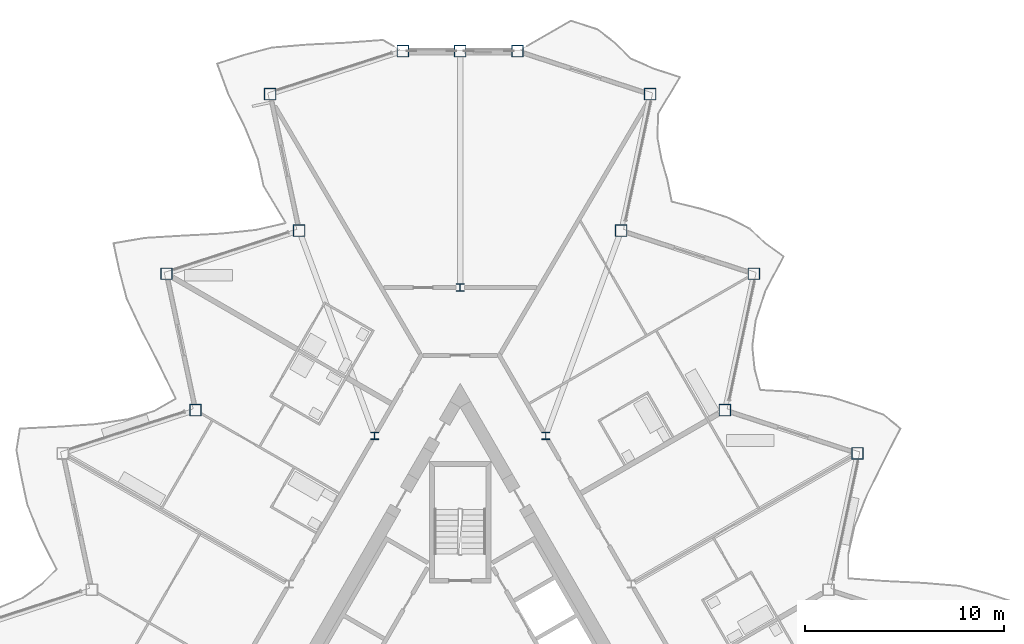
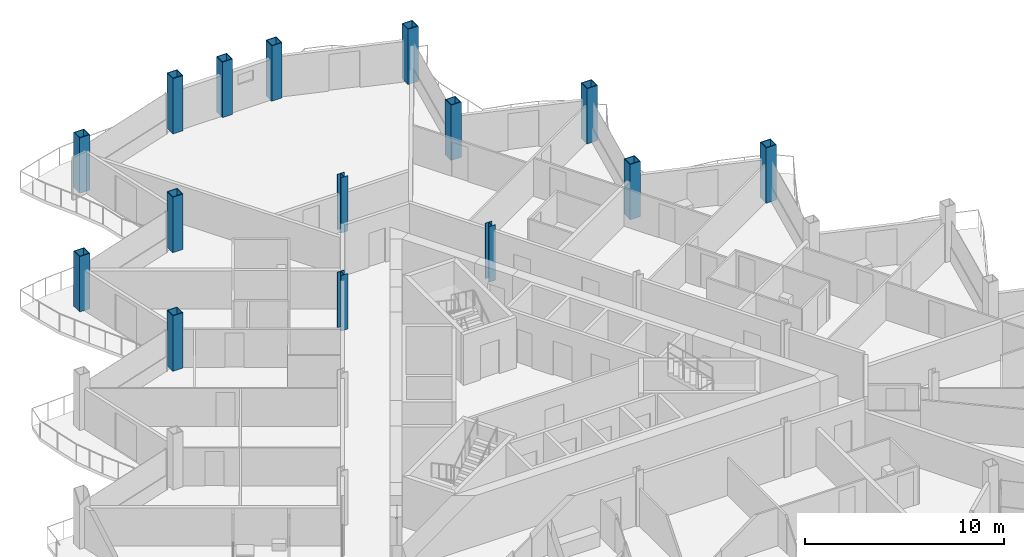
# One storey, part 3 of 26: 15 columns.
"""IFC4 building model written with IfcOpenShell, lengths in metres."""

import ifcopenshell
import ifcopenshell.guid

model = None  # the IFC model being written
_history = None  # IfcOwnerHistory: only IFC2X3 demands one
_inside = {}  # id of a spatial element -> (the spatial element, [elements in it])
_under = {}  # id of a project, library or spatial element -> (it, [spatial elements below it])
_declared = {}  # id of a project -> (the project, [libraries it declares])
_typed = {}  # id of a type object -> (the type object, [elements of that type])
_made_of = {}  # id of a material, layer set ... -> (it, [elements and type objects made of it])


def new_model(schema):
    """Start an empty IFC model of exactly this schema.

    Asked for "IFC4X3", IfcOpenShell would pick the latest addendum, in which some entities
    have other attributes; the version numbers below select the first issue.
    IFC2X3 requires an IfcOwnerHistory on every rooted entity: one is made here for all.
    """
    global model, _history
    if schema == "IFC4X3":
        model = ifcopenshell.file(schema_version=(4, 3, 0, 0))
    else:
        model = ifcopenshell.file(schema=schema)
    _inside.clear()
    _under.clear()
    _declared.clear()
    _typed.clear()
    _made_of.clear()
    _history = None
    if model.schema == "IFC2X3":
        org = make("IfcOrganization", Name="unknown")
        user = make(
            "IfcPersonAndOrganization",
            ThePerson=make("IfcPerson", FamilyName="unknown"),
            TheOrganization=org,
        )
        app = make(
            "IfcApplication",
            ApplicationDeveloper=org,
            Version="unknown",
            ApplicationFullName="unknown",
            ApplicationIdentifier="unknown",
        )
        _history = make(
            "IfcOwnerHistory",
            OwningUser=user,
            OwningApplication=app,
            ChangeAction="ADDED",
            CreationDate=0,
        )
    return model


def make(cls, **values):
    """One entity of the class cls with the attributes given. An attribute that is None is left unset."""
    return model.create_entity(
        cls, **{name: value for name, value in values.items() if value is not None}
    )


def rooted(cls, **values):
    """An entity with a GlobalId (a new one), such as an element, a storey or a relation."""
    return make(cls, GlobalId=ifcopenshell.guid.new(), OwnerHistory=_history, **values)


def si_unit(unit_type, name, prefix=None):
    """IfcSIUnit, for example si_unit("LENGTHUNIT", "METRE", prefix="MILLI")."""
    return make("IfcSIUnit", UnitType=unit_type, Prefix=prefix, Name=name)


def assignment(units):
    """IfcUnitAssignment: the units of a project."""
    return None if units is None else make("IfcUnitAssignment", Units=units)


def point(xyz):
    """IfcCartesianPoint."""
    return None if xyz is None else make("IfcCartesianPoint", Coordinates=xyz)


def direction(xyz):
    """IfcDirection."""
    return None if xyz is None else make("IfcDirection", DirectionRatios=xyz)


def frame(location, z_axis=None, x_axis=None):
    """IfcAxis2Placement3D, a coordinate frame: its origin and axes. An axis left out is left unset."""
    return make(
        "IfcAxis2Placement3D",
        Location=point(location),
        Axis=direction(z_axis),
        RefDirection=direction(x_axis),
    )


def frame_2d(location, x_axis=None):
    """IfcAxis2Placement2D, a coordinate frame in the plane: its origin and x axis."""
    return make(
        "IfcAxis2Placement2D", Location=point(location), RefDirection=direction(x_axis)
    )


def origin():
    """The frame at (0, 0, 0) with its axes left unset."""
    return frame((0.0, 0.0, 0.0))


def origin_2d():
    """The frame at (0, 0) in the plane with its x axis left unset."""
    return frame_2d((0.0, 0.0))


def place(relative_to, where):
    """IfcLocalPlacement: puts the frame where relative to a parent placement (None: the world)."""
    return make(
        "IfcLocalPlacement", PlacementRelTo=relative_to, RelativePlacement=where
    )


def context(
    kind, dimensions, precision=None, world=None, true_north=None, identifier=None
):
    """IfcGeometricRepresentationContext, for example the 3D "Model" context."""
    return make(
        "IfcGeometricRepresentationContext",
        ContextIdentifier=identifier,
        ContextType=kind,
        CoordinateSpaceDimension=dimensions,
        Precision=precision,
        WorldCoordinateSystem=world,
        TrueNorth=true_north,
    )


def subcontext(parent, identifier, kind, view, scale=None):
    """IfcGeometricRepresentationSubContext, for example "Body" below "Model"."""
    return make(
        "IfcGeometricRepresentationSubContext",
        ContextIdentifier=identifier,
        ContextType=kind,
        ParentContext=parent,
        TargetScale=scale,
        TargetView=view,
    )


def project(units=None, contexts=None):
    """IfcProject with its units and contexts."""
    return rooted(
        "IfcProject",
        Name="project",
        RepresentationContexts=contexts,
        UnitsInContext=assignment(units),
    )


def spatial(cls, under=None, at=None, **own):
    """A site, building, storey or space (cls), placed at a placement, below another one or the project."""
    s = rooted(cls, ObjectPlacement=at, **own)
    if under is not None:
        _under.setdefault(under.id(), (under, []))[1].append(s)
    return s


def profile(cls, at=None, kind="AREA", **sizes):
    """A parametric profile (cls). Its sizes go by their IFC names, for example OverallWidth=200.0."""
    return make(cls, ProfileType=kind, Position=at, **sizes)


def hollow_rectangle(**sizes):
    """IfcRectangleHollowProfileDef."""
    return profile("IfcRectangleHollowProfileDef", **sizes)


def i_section(**sizes):
    """IfcIShapeProfileDef."""
    return profile("IfcIShapeProfileDef", **sizes)


def extrude(swept, where, along, depth):
    """IfcExtrudedAreaSolid: the profile swept, set in the frame where, extruded along a direction by depth."""
    return make(
        "IfcExtrudedAreaSolid",
        SweptArea=swept,
        Position=where,
        ExtrudedDirection=direction(along),
        Depth=depth,
    )


def shape(context_of_items, identifier, shape_type, items):
    """IfcShapeRepresentation: the items that make up one representation, for example the "Body"."""
    return make(
        "IfcShapeRepresentation",
        ContextOfItems=context_of_items,
        RepresentationIdentifier=identifier,
        RepresentationType=shape_type,
        Items=items,
    )


def material(Name=None, Category=None):
    """IfcMaterial."""
    return make("IfcMaterial", Name=Name, Category=Category)


def material_profile(
    of_material, cross_section, Name=None, Category=None, Priority=None
):
    """IfcMaterialProfile: a cross section and its material."""
    return make(
        "IfcMaterialProfile",
        Name=Name,
        Material=of_material,
        Profile=cross_section,
        Priority=Priority,
        Category=Category,
    )


def profile_set(profiles, Name=None, composite=None):
    """IfcMaterialProfileSet."""
    return make(
        "IfcMaterialProfileSet",
        Name=Name,
        MaterialProfiles=profiles,
        CompositeProfile=composite,
    )


def made_of(thing, what):
    """Note that an element or type object is made of a material, layer set ...; save() writes the relation."""
    if what is not None:
        _made_of.setdefault(what.id(), (what, []))[1].append(thing)
    return thing


def type_object(cls, material=None, **own):
    """A type object (cls), such as IfcWallType, which elements share."""
    return made_of(rooted(cls, **own), material)


def element(
    cls,
    number,
    at=None,
    inside=None,
    cuts=None,
    type_object=None,
    material=None,
    context=None,
    identifier="Body",
    shape_type=None,
    held_by="IfcProductDefinitionShape",
    body=None,
    shapes=None,
    **own,
):
    """One element of the class cls, such as IfcWall. Its Tag is "e" and its number.

    at: its placement. inside: the storey or other place that contains it. cuts: it is an
    opening in that element (IfcRelVoidsElement). A single representation is given by context,
    identifier, shape_type and body (its items); several are given by shapes. held_by: the class
    of the entity that holds the representations. save() writes the other relations.
    """
    e = rooted(cls, Tag="e%d" % number, ObjectPlacement=at, **own)
    if body is not None:
        shapes = [shape(context, identifier, shape_type, body)]
    if shapes is not None:
        e.Representation = make(held_by, Representations=shapes)
    if inside is not None:
        _inside.setdefault(inside.id(), (inside, []))[1].append(e)
    if cuts is not None:
        rooted(
            "IfcRelVoidsElement", RelatingBuildingElement=cuts, RelatedOpeningElement=e
        )
    if type_object is not None:
        _typed.setdefault(type_object.id(), (type_object, []))[1].append(e)
    return made_of(e, material)


def aggregate(whole, parts):
    """IfcRelAggregates: a whole, such as a stair, and the parts it consists of."""
    return rooted("IfcRelAggregates", RelatingObject=whole, RelatedObjects=parts)


def save(model, path):
    """Write the relations noted so far, then the file.

    IfcRelAggregates (storeys below a building ...), IfcRelContainedInSpatialStructure (elements
    in a storey), IfcRelDefinesByType, IfcRelAssociatesMaterial and IfcRelDeclares: one each for
    every whole, place, type object, material and project.
    """
    for whole, parts in _under.values():
        aggregate(whole, parts)
    for where, things in _inside.values():
        rooted(
            "IfcRelContainedInSpatialStructure",
            RelatedElements=things,
            RelatingStructure=where,
        )
    for kind, things in _typed.values():
        rooted("IfcRelDefinesByType", RelatedObjects=things, RelatingType=kind)
    for what, things in _made_of.values():
        rooted("IfcRelAssociatesMaterial", RelatedObjects=things, RelatingMaterial=what)
    for by, libraries in _declared.values():
        rooted("IfcRelDeclares", RelatingContext=by, RelatedDefinitions=libraries)
    model.write(path)


model = new_model("IFC4")

# Units and contexts
model_context = context("Model", 3, precision=1e-05, world=origin(), true_north=direction((0.0, 1.0)))
body_context = subcontext(model_context, "Body", "Model", "MODEL_VIEW")
ifc_project = project(units=[si_unit("LENGTHUNIT", "METRE"), si_unit("AREAUNIT", "SQUARE_METRE"), si_unit("VOLUMEUNIT", "CUBIC_METRE"), si_unit("PLANEANGLEUNIT", "RADIAN"), si_unit("MASSUNIT", "GRAM", prefix="KILO")], contexts=[model_context])

# Site, building, storey
site_placement = place(None, origin())
site = spatial("IfcSite", under=ifc_project, at=site_placement, CompositionType="ELEMENT")
building_placement = place(site_placement, origin())
building = spatial("IfcBuilding", under=site, at=building_placement, Name="Cormorant Prow Tower", CompositionType="ELEMENT")
storey_placement = place(building_placement, frame((0.0, 0.0, 342.60009765625)))
storey = spatial("IfcBuildingStorey", under=building, at=storey_placement, Name="L77", CompositionType="ELEMENT", Elevation=342.60009765625)

# Columns
ifc_material_1 = material(Name="Structural steel ASTM A572 Gr 50", Category="steel")
ifc_material_profile_1 = material_profile(ifc_material_1, hollow_rectangle(XDim=0.60009765625, YDim=0.60009765625, WallThickness=0.0400390625, at=origin_2d()), Name="Box 600x600x40")
ifc_profile_set_1 = profile_set([ifc_material_profile_1], Name="Structural steel ASTM A572 Gr 50")
column_type_1 = type_object("IfcColumnType", Name="Perimeter box column 600x600x40", PredefinedType="COLUMN", material=ifc_profile_set_1)
for number, where, z_axis, x_axis, name in (
    (1, (19.925537109375, 11.504150390625, 0.0), (0.0, 0.0, 1.0), (1.0, 0.0, 0.0), "Perimeter column C6 at ENE05 L77"),
    (2, (13.27197265625, 13.666015625, 0.0), (0.0, 0.0, 1.0), (1.0, 0.0, 0.0), "Perimeter column C6 at ENE06 L77"),
    (3, (14.7265625, 20.509033203125, 0.0), (0.0, 0.0, 1.0), (1.0, 0.0, 0.0), "Perimeter column C6 at ENE07 L77"),
    (4, (8.072998046875, 22.6708984375, 0.0), (0.0, 0.0, 1.0), (1.0, 0.0, 0.0), "Perimeter column C6 at ENE08 L77"),
    (5, (9.52734375, 29.51416015625, 0.0), (0.0, 0.0, 1.0), (1.0, 0.0, 0.0), "Perimeter column C6 at ENE09 L77"),
    (6, (2.873779296875, 31.676025390625, 0.0), (0.0, 0.0, 1.0), (1.0, 0.0, 0.0), "Perimeter column C6 at N00 L77"),
    (7, (0.0, 31.676025390625, 0.0), (0.0, 0.0, 1.0), (1.0, 0.0, 0.0), "Perimeter column C6 at N01 L77"),
    (8, (-2.873779296875, 31.676025390625, 0.0), (0.0, 0.0, 1.0), (1.0, 0.0, 0.0), "Perimeter column C6 at WNW00 L77"),
    (9, (-9.52734375, 29.51416015625, 0.0), (0.0, 0.0, 1.0), (1.0, 0.0, 0.0), "Perimeter column C6 at WNW01 L77"),
    (10, (-8.072998046875, 22.6708984375, 0.0), (0.0, 0.0, 1.0), (1.0, 0.0, 0.0), "Perimeter column C6 at WNW02 L77"),
    (11, (-14.7265625, 20.509033203125, 0.0), (0.0, 0.0, 1.0), (1.0, 0.0, 0.0), "Perimeter column C6 at WNW03 L77"),
    (12, (-13.27197265625, 13.666015625, 0.0), (0.0, 0.0, 1.0), (1.0, 0.0, 0.0), "Perimeter column C6 at WNW04 L77"),
):
    element("IfcColumn", number, at=place(storey_placement, frame(where, z_axis=z_axis, x_axis=x_axis)), inside=storey, type_object=column_type_1, Name=name, PredefinedType="COLUMN", context=body_context, shape_type="SweptSolid", body=[
        extrude(hollow_rectangle(XDim=0.60009765625, YDim=0.60009765625, WallThickness=0.0400390625, at=origin_2d()), origin(), (0.0, 0.0, 1.0), 3.39990234375),
    ])
ifc_material_2 = material(Name="Structural steel ASTM A992 Gr 50", Category="steel")
ifc_material_profile_2 = material_profile(ifc_material_2, i_section(OverallWidth=0.3955078125, OverallDepth=0.380615234375, WebThickness=0.018798828125, FlangeThickness=0.0302734375, at=origin_2d()), Name="W14x159")
ifc_profile_set_2 = profile_set([ifc_material_profile_2], Name="Structural steel ASTM A992 Gr 50")
column_type_2 = type_object("IfcColumnType", Name="Ring column W14x159", PredefinedType="COLUMN", material=ifc_profile_set_2)
for number, where, z_axis, x_axis, name in (
    (13, (0.0, 19.81103515625, 0.0), (0.0, 0.0, 1.0), (1.0, 0.0, 0.0), "Ring column 1 L77"),
    (14, (-4.289306640625, 12.3818359375, 0.0), (0.0, 0.0, 1.0), (1.0, 0.0, 0.0), "Ring column 2 L77"),
    (15, (4.289306640625, 12.3818359375, 0.0), (0.0, 0.0, 1.0), (1.0, 0.0, 0.0), "Ring column 12 L77"),
):
    element("IfcColumn", number, at=place(storey_placement, frame(where, z_axis=z_axis, x_axis=x_axis)), inside=storey, type_object=column_type_2, Name=name, PredefinedType="COLUMN", context=body_context, shape_type="SweptSolid", body=[
        extrude(i_section(OverallWidth=0.3955078125, OverallDepth=0.380615234375, WebThickness=0.018798828125, FlangeThickness=0.0302734375, at=origin_2d()), origin(), (0.0, 0.0, 1.0), 3.39990234375),
    ])

save(model, "model.ifc")
